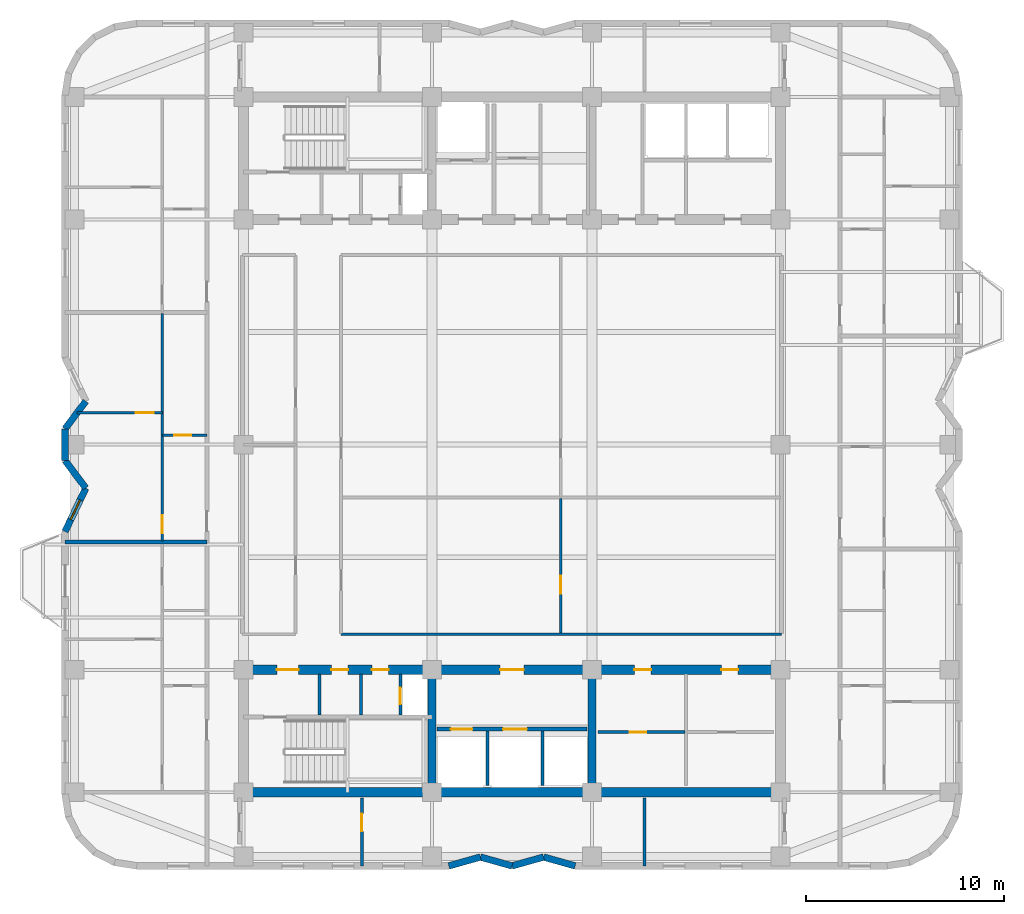
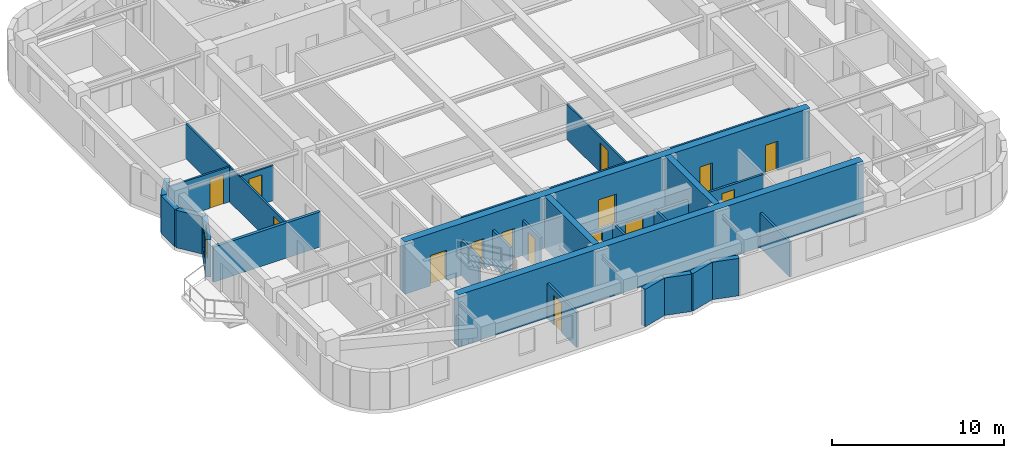
# One storey, part 3 of 9: 27 walls, 15 doors, 1 window, 16 openings.
"""IFC4 building model written with IfcOpenShell, lengths in metres."""

from ifc_helpers import new_model, si_unit, direction, frame, frame_2d, origin, place, context, subcontext, project, spatial, rectangle, extrude, material, layer, layer_set, type_object, element, fill, save


model = new_model("IFC4")

# Units and contexts
model_context = context("Model", 3, precision=1e-05, world=origin(), true_north=direction((0.0, 1.0)))
body_context = subcontext(model_context, "Body", "Model", "MODEL_VIEW")
ifc_project = project(units=[si_unit("LENGTHUNIT", "METRE"), si_unit("AREAUNIT", "SQUARE_METRE"), si_unit("VOLUMEUNIT", "CUBIC_METRE"), si_unit("PLANEANGLEUNIT", "RADIAN"), si_unit("MASSUNIT", "GRAM", prefix="KILO")], contexts=[model_context])

# Site, building, storey
site_placement = place(None, origin())
site = spatial("IfcSite", under=ifc_project, at=site_placement, CompositionType="ELEMENT")
building_placement = place(site_placement, origin())
building = spatial("IfcBuilding", under=site, at=building_placement, Name="Svetorya Sky Lyceum", CompositionType="ELEMENT")
storey_placement = place(building_placement, frame((0.0, 0.0, 192.199951171875)))
storey = spatial("IfcBuildingStorey", under=building, at=storey_placement, Name="L48", CompositionType="ELEMENT", Elevation=192.199951171875)

# Walls
ifc_material_1 = material(Name="Concrete C40/50", Category="concrete")
ifc_layer_1 = layer(ifc_material_1, 0.39990234375)
ifc_layer_set_1 = layer_set([ifc_layer_1], Name="Concrete C40/50")
wall_type_1 = type_object("IfcWallType", Name="WL-CORE-400", PredefinedType="SHEAR", material=ifc_layer_set_1)
for number, where, z_axis, x_axis, name in (
    (1, (35.14990234375, 10.85009765625, 0.0), (0.0, 0.0, 1.0), (0.0, 1.0, 0.0), "L48 SC Internal Shear Web WEB1"),
    (2, (43.25, 10.85009765625, 0.0), (0.0, 0.0, 1.0), (0.0, 1.0, 0.0), "L48 SC Internal Shear Web WEB2"),
):
    element("IfcWall", number, at=place(storey_placement, frame(where, z_axis=z_axis, x_axis=x_axis)), inside=storey, type_object=wall_type_1, Name=name, PredefinedType="SHEAR", context=body_context, shape_type="SweptSolid", body=[
        extrude(rectangle(XDim=5.699951171875, YDim=0.39990234375, at=frame_2d((2.85009765625, 0.0))), origin(), (0.0, 0.0, 1.0), 3.699951171875),
    ])
ifc_material_2 = material(Name="Concrete C50/60", Category="concrete")
ifc_layer_2 = layer(ifc_material_2, 0.5)
ifc_layer_set_2 = layer_set([ifc_layer_2], Name="Concrete C50/60")
wall_type_2 = type_object("IfcWallType", Name="WL-CORE-500", PredefinedType="SHEAR", material=ifc_layer_set_2)
wall_1_placement = place(storey_placement, frame((52.800048828125, 10.60009765625, 0.0), z_axis=(0.0, 0.0, 1.0), x_axis=(-1.0, 0.0, 0.0)))
element("IfcWall", 3, at=wall_1_placement, inside=storey, type_object=wall_type_2, Name="L48 SC Outer Core Shear Wall", PredefinedType="SHEAR", context=body_context, shape_type="SweptSolid", body=[
    extrude(rectangle(XDim=27.199951171875, YDim=0.5, at=frame_2d((13.60009765625, 0.0))), origin(), (0.0, 0.0, 1.0), 3.699951171875),
])

# Wall, openings, doors
wall_2_placement = place(storey_placement, frame((25.60009765625, 16.800048828125, 0.0), z_axis=(0.0, 0.0, 1.0), x_axis=(1.0, 0.0, 0.0)))
wall_2 = element("IfcWall", 4, at=wall_2_placement, inside=storey, type_object=wall_type_2, Name="L48 SC Inner Core Shear Wall", PredefinedType="SHEAR", context=body_context, shape_type="SweptSolid", body=[
    extrude(rectangle(XDim=27.199951171875, YDim=0.5, at=frame_2d((13.60009765625, 0.0))), origin(), (0.0, 0.0, 1.0), 3.699951171875),
])
opening_1_placement = place(wall_2_placement, frame((1.699951171875, 0.0, 0.0)))
opening_1 = element("IfcOpeningElement", 5, at=opening_1_placement, cuts=wall_2, Name="Opening D-ST1", PredefinedType="OPENING", context=body_context, shape_type="SweptSolid", body=[
    extrude(rectangle(XDim=1.10009765625, YDim=2.14990234375, at=frame_2d((0.550048828125, 1.074951171875))), frame((0.0, 0.260009765625, 0.0), z_axis=(0.0, -1.0, 0.0), x_axis=(1.0, 0.0, 0.0)), (0.0, 0.0, 1.0), 0.52001953125),
])
opening_2_placement = place(wall_2_placement, frame((4.449951171875, 0.0, 0.0)))
opening_2 = element("IfcOpeningElement", 6, at=opening_2_placement, cuts=wall_2, Name="Opening D-CWC1", PredefinedType="OPENING", context=body_context, shape_type="SweptSolid", body=[
    extrude(rectangle(XDim=0.85009765625, YDim=2.10009765625, at=frame_2d((0.425048828125, 1.050048828125))), frame((0.0, 0.260009765625, 0.0), z_axis=(0.0, -1.0, 0.0), x_axis=(1.0, 0.0, 0.0)), (0.0, 0.0, 1.0), 0.52001953125),
])
opening_3_placement = place(wall_2_placement, frame((6.5, 0.0, 0.0)))
opening_3 = element("IfcOpeningElement", 7, at=opening_3_placement, cuts=wall_2, Name="Opening D-CWC1", PredefinedType="OPENING", context=body_context, shape_type="SweptSolid", body=[
    extrude(rectangle(XDim=0.85009765625, YDim=2.10009765625, at=frame_2d((0.425048828125, 1.050048828125))), frame((0.0, 0.260009765625, 0.0), z_axis=(0.0, -1.0, 0.0), x_axis=(1.0, 0.0, 0.0)), (0.0, 0.0, 1.0), 0.52001953125),
])
opening_4_placement = place(wall_2_placement, frame((13.0, 0.0, 0.0)))
opening_4 = element("IfcOpeningElement", 8, at=opening_4_placement, cuts=wall_2, Name="Opening D-FL1", PredefinedType="OPENING", context=body_context, shape_type="SweptSolid", body=[
    extrude(rectangle(XDim=1.199951171875, YDim=2.14990234375, at=frame_2d((0.60009765625, 1.074951171875))), frame((0.0, 0.260009765625, 0.0), z_axis=(0.0, -1.0, 0.0), x_axis=(1.0, 0.0, 0.0)), (0.0, 0.0, 1.0), 0.52001953125),
])
opening_5_placement = place(wall_2_placement, frame((19.800048828125, 0.0, 0.0)))
opening_5 = element("IfcOpeningElement", 9, at=opening_5_placement, cuts=wall_2, Name="Opening D-CWC1", PredefinedType="OPENING", context=body_context, shape_type="SweptSolid", body=[
    extrude(rectangle(XDim=0.85009765625, YDim=2.10009765625, at=frame_2d((0.425048828125, 1.050048828125))), frame((0.0, 0.260009765625, 0.0), z_axis=(0.0, -1.0, 0.0), x_axis=(1.0, 0.0, 0.0)), (0.0, 0.0, 1.0), 0.52001953125),
])
opening_6_placement = place(wall_2_placement, frame((24.199951171875, 0.0, 0.0)))
opening_6 = element("IfcOpeningElement", 10, at=opening_6_placement, cuts=wall_2, Name="Opening D-CWC1", PredefinedType="OPENING", context=body_context, shape_type="SweptSolid", body=[
    extrude(rectangle(XDim=0.85009765625, YDim=2.10009765625, at=frame_2d((0.425048828125, 1.050048828125))), frame((0.0, 0.260009765625, 0.0), z_axis=(0.0, -1.0, 0.0), x_axis=(1.0, 0.0, 0.0)), (0.0, 0.0, 1.0), 0.52001953125),
])
ifc_material_3 = material(Name="Fire-rated galvanized steel core service closet door", Category="steel")
door_type_1 = type_object("IfcDoorType", Name="DR-CWET-850", OperationType="SINGLE_SWING_LEFT", PredefinedType="DOOR", material=ifc_material_3)
door_1_placement = place(opening_2_placement, origin())
door_1 = element("IfcDoor", 11, at=door_1_placement, inside=storey, type_object=door_type_1, Name="L48 South Mop Closet Door", OperationType="SINGLE_SWING_LEFT", OverallHeight=2.10009765625, OverallWidth=0.85009765625, PredefinedType="DOOR", context=body_context, shape_type="SweptSolid", body=[
    extrude(rectangle(XDim=0.85009765625, YDim=2.10009765625, at=frame_2d((0.425048828125, 1.050048828125))), frame((0.0, 0.02490234375, 0.0), z_axis=(0.0, -1.0, 0.0), x_axis=(1.0, 0.0, 0.0)), (0.0, 0.0, 1.0), 0.050048828125),
])
fill(opening_2, door_1)
door_2_placement = place(opening_3_placement, origin())
door_2 = element("IfcDoor", 12, at=door_2_placement, inside=storey, type_object=door_type_1, Name="L48 South West WC Door", OperationType="SINGLE_SWING_RIGHT", OverallHeight=2.10009765625, OverallWidth=0.85009765625, PredefinedType="DOOR", context=body_context, shape_type="SweptSolid", body=[
    extrude(rectangle(XDim=0.85009765625, YDim=2.10009765625, at=frame_2d((0.425048828125, 1.050048828125))), frame((0.0, 0.02490234375, 0.0), z_axis=(0.0, -1.0, 0.0), x_axis=(1.0, 0.0, 0.0)), (0.0, 0.0, 1.0), 0.050048828125),
])
fill(opening_3, door_2)
door_3_placement = place(opening_5_placement, origin())
door_3 = element("IfcDoor", 13, at=door_3_placement, inside=storey, type_object=door_type_1, Name="L48 Housekeeping Door", OperationType="SINGLE_SWING_LEFT", OverallHeight=2.10009765625, OverallWidth=0.85009765625, PredefinedType="DOOR", context=body_context, shape_type="SweptSolid", body=[
    extrude(rectangle(XDim=0.85009765625, YDim=2.10009765625, at=frame_2d((0.425048828125, 1.050048828125))), frame((0.0, 0.02490234375, 0.0), z_axis=(0.0, -1.0, 0.0), x_axis=(1.0, 0.0, 0.0)), (0.0, 0.0, 1.0), 0.050048828125),
])
fill(opening_5, door_3)
door_4_placement = place(opening_6_placement, origin())
door_4 = element("IfcDoor", 14, at=door_4_placement, inside=storey, type_object=door_type_1, Name="L48 South WC Door", OperationType="SINGLE_SWING_RIGHT", OverallHeight=2.10009765625, OverallWidth=0.85009765625, PredefinedType="DOOR", context=body_context, shape_type="SweptSolid", body=[
    extrude(rectangle(XDim=0.85009765625, YDim=2.10009765625, at=frame_2d((0.425048828125, 1.050048828125))), frame((0.0, 0.02490234375, 0.0), z_axis=(0.0, -1.0, 0.0), x_axis=(1.0, 0.0, 0.0)), (0.0, 0.0, 1.0), 0.050048828125),
])
fill(opening_6, door_4)
ifc_material_4 = material(Name="Powder-coated insulated galvanized stair fire door")
door_type_2 = type_object("IfcDoorType", Name="DR-FIRE-1100", OperationType="SINGLE_SWING_LEFT", PredefinedType="DOOR", material=ifc_material_4)
door_5_placement = place(opening_1_placement, origin())
door_5 = element("IfcDoor", 15, at=door_5_placement, inside=storey, type_object=door_type_2, Name="L48 South Stair Airlock Door", OperationType="SINGLE_SWING_RIGHT", OverallHeight=2.14990234375, OverallWidth=1.10009765625, PredefinedType="DOOR", context=body_context, shape_type="SweptSolid", body=[
    extrude(rectangle(XDim=1.10009765625, YDim=2.14990234375, at=frame_2d((0.550048828125, 1.074951171875))), frame((0.0, 0.02490234375, 0.0), z_axis=(0.0, -1.0, 0.0), x_axis=(1.0, 0.0, 0.0)), (0.0, 0.0, 1.0), 0.050048828125),
])
fill(opening_1, door_5)
ifc_material_5 = material(Name="Powder-coated insulated galvanized fire door")
door_type_3 = type_object("IfcDoorType", Name="DR-FIRE-1200", OperationType="SINGLE_SWING_LEFT", PredefinedType="DOOR", material=ifc_material_5)
door_6_placement = place(opening_4_placement, origin())
door_6 = element("IfcDoor", 16, at=door_6_placement, inside=storey, type_object=door_type_3, Name="L48 South Firefighting Lift Lobby Door", OperationType="SINGLE_SWING_LEFT", OverallHeight=2.14990234375, OverallWidth=1.199951171875, PredefinedType="DOOR", context=body_context, shape_type="SweptSolid", body=[
    extrude(rectangle(XDim=1.199951171875, YDim=2.14990234375, at=frame_2d((0.60009765625, 1.074951171875))), frame((0.0, 0.02490234375, 0.0), z_axis=(0.0, -1.0, 0.0), x_axis=(1.0, 0.0, 0.0)), (0.0, 0.0, 1.0), 0.050048828125),
])
fill(opening_4, door_6)

# Walls
ifc_material_6 = material(Name="Putilovo limestone rainscreen on autoclaved cellular masonry", Category="masonry")
ifc_layer_3 = layer(ifc_material_6, 0.340087890625)
ifc_layer_set_3 = layer_set([ifc_layer_3], Name="Putilovo limestone rainscreen on autoclaved cellular masonry")
wall_type_3 = type_object("IfcWallType", Name="WL-EXT-340", PredefinedType="SOLIDWALL", material=ifc_layer_set_3)
wall_3_placement = place(storey_placement, frame((36.0, 6.8701171875, 0.0), z_axis=(0.0, 0.0, 1.0), x_axis=(0.962662902433, 0.270703040766, 0.0)))
element("IfcWall", 17, at=wall_3_placement, inside=storey, type_object=wall_type_3, Name="L48 Limestone Exterior Wall 7M", PredefinedType="SOLIDWALL", context=body_context, shape_type="SweptSolid", body=[
    extrude(rectangle(XDim=1.662109375, YDim=0.340087890625, at=frame_2d((0.8310546875, 0.0))), origin(), (0.0, 0.0, 1.0), 2.66015625),
])
wall_4_placement = place(storey_placement, frame((37.60009765625, 7.320068359375, 0.0), z_axis=(0.0, 0.0, 1.0), x_axis=(0.962652136636, -0.270741322725, 0.0)))
element("IfcWall", 18, at=wall_4_placement, inside=storey, type_object=wall_type_3, Name="L48 Limestone Exterior Wall 8M", PredefinedType="SOLIDWALL", context=body_context, shape_type="SweptSolid", body=[
    extrude(rectangle(XDim=1.661865234375, YDim=0.340087890625, at=frame_2d((0.8310546875, 0.0))), origin(), (0.0, 0.0, 1.0), 2.66015625),
])
wall_5_placement = place(storey_placement, frame((39.199951171875, 6.8701171875, 0.0), z_axis=(0.0, 0.0, 1.0), x_axis=(0.962662902433, 0.270703040766, 0.0)))
element("IfcWall", 19, at=wall_5_placement, inside=storey, type_object=wall_type_3, Name="L48 Limestone Exterior Wall 9M", PredefinedType="SOLIDWALL", context=body_context, shape_type="SweptSolid", body=[
    extrude(rectangle(XDim=1.662109375, YDim=0.340087890625, at=frame_2d((0.8310546875, 0.0))), origin(), (0.0, 0.0, 1.0), 2.66015625),
])
wall_6_placement = place(storey_placement, frame((40.800048828125, 7.320068359375, 0.0), z_axis=(0.0, 0.0, 1.0), x_axis=(0.962652136636, -0.270741322725, 0.0)))
element("IfcWall", 20, at=wall_6_placement, inside=storey, type_object=wall_type_3, Name="L48 Limestone Exterior Wall 10M", PredefinedType="SOLIDWALL", context=body_context, shape_type="SweptSolid", body=[
    extrude(rectangle(XDim=1.661865234375, YDim=0.340087890625, at=frame_2d((0.8310546875, 0.0))), origin(), (0.0, 0.0, 1.0), 2.66015625),
])
wall_7_placement = place(storey_placement, frame((17.6201171875, 30.39990234375, 0.0), z_axis=(0.0, 0.0, 1.0), x_axis=(-0.600044643168, -0.799966515677, 0.0)))
element("IfcWall", 21, at=wall_7_placement, inside=storey, type_object=wall_type_3, Name="L48 Limestone Exterior Wall 42M", PredefinedType="SOLIDWALL", context=body_context, shape_type="SweptSolid", body=[
    extrude(rectangle(XDim=1.75, YDim=0.340087890625, at=frame_2d((0.875, 0.0))), origin(), (0.0, 0.0, 1.0), 2.66015625),
])
wall_8_placement = place(storey_placement, frame((16.570068359375, 29.0, 0.0), z_axis=(0.0, 0.0, 1.0), x_axis=(0.0, -1.0, 0.0)))
element("IfcWall", 22, at=wall_8_placement, inside=storey, type_object=wall_type_3, Name="L48 Limestone Exterior Wall 43M", PredefinedType="SOLIDWALL", context=body_context, shape_type="SweptSolid", body=[
    extrude(rectangle(XDim=1.60009765625, YDim=0.340087890625, at=frame_2d((0.800048828125, 0.0))), origin(), (0.0, 0.0, 1.0), 2.66015625),
])
wall_9_placement = place(storey_placement, frame((16.570068359375, 27.39990234375, 0.0), z_axis=(0.0, 0.0, 1.0), x_axis=(0.600044643168, -0.799966515677, 0.0)))
element("IfcWall", 23, at=wall_9_placement, inside=storey, type_object=wall_type_3, Name="L48 Limestone Exterior Wall 44M", PredefinedType="SOLIDWALL", context=body_context, shape_type="SweptSolid", body=[
    extrude(rectangle(XDim=1.75, YDim=0.340087890625, at=frame_2d((0.875, 0.0))), origin(), (0.0, 0.0, 1.0), 2.66015625),
])

# Wall, opening, window
wall_10_placement = place(storey_placement, frame((17.6201171875, 26.0, 0.0), z_axis=(0.0, 0.0, 1.0), x_axis=(-0.430753686581, -0.902469534941, 0.0)))
wall_10 = element("IfcWall", 24, at=wall_10_placement, inside=storey, type_object=wall_type_3, Name="L48 Limestone Exterior Wall 45M", PredefinedType="SOLIDWALL", context=body_context, shape_type="SweptSolid", body=[
    extrude(rectangle(XDim=2.437744140625, YDim=0.340087890625, at=frame_2d((1.21875, 0.0))), origin(), (0.0, 0.0, 1.0), 2.66015625),
])
opening_7_placement = place(wall_10_placement, frame((0.6689453125, 0.0, 0.85009765625)))
opening_7 = element("IfcOpeningElement", 25, at=opening_7_placement, cuts=wall_10, Name="Opening W-R3", PredefinedType="OPENING", context=body_context, shape_type="SweptSolid", body=[
    extrude(rectangle(XDim=1.10009765625, YDim=1.64990234375, at=frame_2d((0.550048828125, 0.824951171875))), frame((0.0, 0.179931640625, 0.0), z_axis=(0.0, -1.0, 0.0), x_axis=(1.0, 0.0, 0.0)), (0.0, 0.0, 1.0), 0.360107421875),
])
ifc_material_7 = material(Name="Thermally broken aluminium frame with triple low-E glazing", Category="aluminium")
window_type = type_object("IfcWindowType", Name="WN-RES-110", PartitioningType="SINGLE_PANEL", PredefinedType="WINDOW", material=ifc_material_7)
window_placement = place(opening_7_placement, origin())
window = element("IfcWindow", 26, at=window_placement, inside=storey, type_object=window_type, Name="L48 Facade Window W-R3.45M.1", OverallHeight=1.64990234375, OverallWidth=1.10009765625, PartitioningType="SINGLE_PANEL", PredefinedType="WINDOW", context=body_context, shape_type="SweptSolid", body=[
    extrude(rectangle(XDim=1.10009765625, YDim=1.64990234375, at=frame_2d((0.550048828125, 0.824951171875))), frame((0.0, 0.030029296875, 0.0), z_axis=(0.0, -1.0, 0.0), x_axis=(1.0, 0.0, 0.0)), (0.0, 0.0, 1.0), 0.06005859375),
])
fill(opening_7, window)

# Wall, opening, door
ifc_material_8 = material(Name="Twin-stud galvanized framing with double fireboard", Category="gypsum")
ifc_layer_4 = layer(ifc_material_8, 0.1201171875)
ifc_layer_set_4 = layer_set([ifc_layer_4], Name="Twin-stud galvanized framing with double fireboard")
wall_type_4 = type_object("IfcWallType", Name="WL-PART-120", PredefinedType="PARTITIONING", material=ifc_layer_set_4)
wall_11_placement = place(storey_placement, frame((41.659912109375, 18.659912109375, 0.0), z_axis=(0.0, 0.0, 1.0), x_axis=(0.0, 1.0, 0.0)))
wall_11 = element("IfcWall", 27, at=wall_11_placement, inside=storey, type_object=wall_type_4, Name="L48 Interior Partition OFF-VEM1", PredefinedType="PARTITIONING", context=body_context, shape_type="SweptSolid", body=[
    extrude(rectangle(XDim=6.820556640625, YDim=0.1201171875, at=frame_2d((3.41015625, 0.0))), origin(), (0.0, 0.0, 1.0), 2.489990234375),
])
opening_8_placement = place(wall_11_placement, frame((2.0, 0.0, 0.0)))
opening_8 = element("IfcOpeningElement", 28, at=opening_8_placement, cuts=wall_11, Name="Opening D-RM1", PredefinedType="OPENING", context=body_context, shape_type="SweptSolid", body=[
    extrude(rectangle(XDim=0.89990234375, YDim=2.10009765625, at=frame_2d((0.449951171875, 1.050048828125))), frame((0.0, 0.070068359375, 0.0), z_axis=(0.0, -1.0, 0.0), x_axis=(1.0, 0.0, 0.0)), (0.0, 0.0, 1.0), 0.14013671875),
])
ifc_material_9 = material(Name="Lacquered birch veneer internal door")
door_type_4 = type_object("IfcDoorType", Name="DR-INT-900", OperationType="SINGLE_SWING_LEFT", PredefinedType="DOOR", material=ifc_material_9)
door_7_placement = place(opening_8_placement, origin())
door_7 = element("IfcDoor", 29, at=door_7_placement, inside=storey, type_object=door_type_4, Name="L48 East Study Door", OperationType="SINGLE_SWING_LEFT", OverallHeight=2.10009765625, OverallWidth=0.89990234375, PredefinedType="DOOR", context=body_context, shape_type="SweptSolid", body=[
    extrude(rectangle(XDim=0.89990234375, YDim=2.10009765625, at=frame_2d((0.449951171875, 1.050048828125))), frame((0.0, 0.02490234375, 0.0), z_axis=(0.0, -1.0, 0.0), x_axis=(1.0, 0.0, 0.0)), (0.0, 0.0, 1.0), 0.050048828125),
])
fill(opening_8, door_7)

wall_12_placement = place(storey_placement, frame((21.5, 28.672119140625, 0.0), z_axis=(0.0, 0.0, 1.0), x_axis=(1.0, 0.0, 0.0)))
wall_12 = element("IfcWall", 30, at=wall_12_placement, inside=storey, type_object=wall_type_4, Name="L48 Interior Partition W2-WH1", PredefinedType="PARTITIONING", context=body_context, shape_type="SweptSolid", body=[
    extrude(rectangle(XDim=2.25, YDim=0.1201171875, at=frame_2d((1.125, 0.0))), origin(), (0.0, 0.0, 1.0), 2.489990234375),
])
opening_9_placement = place(wall_12_placement, frame((0.60009765625, 0.0, 0.0)))
opening_9 = element("IfcOpeningElement", 31, at=opening_9_placement, cuts=wall_12, Name="Opening D-BT1", PredefinedType="OPENING", context=body_context, shape_type="SweptSolid", body=[
    extrude(rectangle(XDim=0.85009765625, YDim=2.10009765625, at=frame_2d((0.425048828125, 1.050048828125))), frame((0.0, 0.070068359375, 0.0), z_axis=(0.0, -1.0, 0.0), x_axis=(1.0, 0.0, 0.0)), (0.0, 0.0, 1.0), 0.14013671875),
])
ifc_material_10 = material(Name="Moisture-resistant laminate bathroom door")
door_type_5 = type_object("IfcDoorType", Name="DR-WET-850", OperationType="SINGLE_SWING_LEFT", PredefinedType="DOOR", material=ifc_material_10)
door_8_placement = place(opening_9_placement, origin())
door_8 = element("IfcDoor", 32, at=door_8_placement, inside=storey, type_object=door_type_5, Name="Apartment W2 Bathroom Door", OperationType="SINGLE_SWING_RIGHT", OverallHeight=2.10009765625, OverallWidth=0.85009765625, PredefinedType="DOOR", context=body_context, shape_type="SweptSolid", body=[
    extrude(rectangle(XDim=0.85009765625, YDim=2.10009765625, at=frame_2d((0.425048828125, 1.050048828125))), frame((0.0, 0.02490234375, 0.0), z_axis=(0.0, -1.0, 0.0), x_axis=(1.0, 0.0, 0.0)), (0.0, 0.0, 1.0), 0.050048828125),
])
fill(opening_9, door_8)

wall_13_placement = place(storey_placement, frame((17.1865234375, 29.822021484375, 0.0), z_axis=(0.0, 0.0, 1.0), x_axis=(1.0, 0.0, 0.0)))
wall_13 = element("IfcWall", 33, at=wall_13_placement, inside=storey, type_object=wall_type_4, Name="L48 Interior Partition W2-WL1", PredefinedType="PARTITIONING", context=body_context, shape_type="SweptSolid", body=[
    extrude(rectangle(XDim=4.3134765625, YDim=0.1201171875, at=frame_2d((2.15673828125, 0.0))), origin(), (0.0, 0.0, 1.0), 2.489990234375),
])
opening_10_placement = place(wall_13_placement, frame((2.96337890625, 0.0, 0.0)))
opening_10 = element("IfcOpeningElement", 34, at=opening_10_placement, cuts=wall_13, Name="Opening D-RM1", PredefinedType="OPENING", context=body_context, shape_type="SweptSolid", body=[
    extrude(rectangle(XDim=0.89990234375, YDim=2.10009765625, at=frame_2d((0.449951171875, 1.050048828125))), frame((0.0, 0.070068359375, 0.0), z_axis=(0.0, -1.0, 0.0), x_axis=(1.0, 0.0, 0.0)), (0.0, 0.0, 1.0), 0.14013671875),
])
door_9_placement = place(opening_10_placement, origin())
door_9 = element("IfcDoor", 35, at=door_9_placement, inside=storey, type_object=door_type_4, Name="Apartment W2 Bedroom 1 Door", OperationType="SINGLE_SWING_RIGHT", OverallHeight=2.10009765625, OverallWidth=0.89990234375, PredefinedType="DOOR", context=body_context, shape_type="SweptSolid", body=[
    extrude(rectangle(XDim=0.89990234375, YDim=2.10009765625, at=frame_2d((0.449951171875, 1.050048828125))), frame((0.0, 0.02490234375, 0.0), z_axis=(0.0, -1.0, 0.0), x_axis=(1.0, 0.0, 0.0)), (0.0, 0.0, 1.0), 0.050048828125),
])
fill(opening_10, door_9)

wall_14_placement = place(storey_placement, frame((21.5, 23.31201171875, 0.0), z_axis=(0.0, 0.0, 1.0), x_axis=(0.0, 1.0, 0.0)))
wall_14 = element("IfcWall", 36, at=wall_14_placement, inside=storey, type_object=wall_type_4, Name="L48 Interior Partition W2-WV", PredefinedType="PARTITIONING", context=body_context, shape_type="SweptSolid", body=[
    extrude(rectangle(XDim=11.535888671875, YDim=0.1201171875, at=frame_2d((5.76806640625, 0.0))), origin(), (0.0, 0.0, 1.0), 2.489990234375),
])
opening_11_placement = place(wall_14_placement, frame((0.409912109375, 0.0, 0.0)))
opening_11 = element("IfcOpeningElement", 37, at=opening_11_placement, cuts=wall_14, Name="Opening D-RM1", PredefinedType="OPENING", context=body_context, shape_type="SweptSolid", body=[
    extrude(rectangle(XDim=0.89990234375, YDim=2.10009765625, at=frame_2d((0.449951171875, 1.050048828125))), frame((0.0, 0.070068359375, 0.0), z_axis=(0.0, -1.0, 0.0), x_axis=(1.0, 0.0, 0.0)), (0.0, 0.0, 1.0), 0.14013671875),
])
door_10_placement = place(opening_11_placement, origin())
door_10 = element("IfcDoor", 38, at=door_10_placement, inside=storey, type_object=door_type_4, Name="Apartment W2 Living Door", OperationType="SINGLE_SWING_LEFT", OverallHeight=2.10009765625, OverallWidth=0.89990234375, PredefinedType="DOOR", context=body_context, shape_type="SweptSolid", body=[
    extrude(rectangle(XDim=0.89990234375, YDim=2.10009765625, at=frame_2d((0.449951171875, 1.050048828125))), frame((0.0, 0.02490234375, 0.0), z_axis=(0.0, -1.0, 0.0), x_axis=(1.0, 0.0, 0.0)), (0.0, 0.0, 1.0), 0.050048828125),
])
fill(opening_11, door_10)

# Walls
ifc_material_11 = material(Name="Autoclaved cellular masonry blockwork with acoustic render", Category="masonry")
ifc_layer_5 = layer(ifc_material_11, 0.14990234375)
ifc_layer_set_5 = layer_set([ifc_layer_5], Name="Autoclaved cellular masonry blockwork with acoustic render")
wall_type_5 = type_object("IfcWallType", Name="WL-PART-150", PredefinedType="PARTITIONING", material=ifc_layer_set_5)
for number, where, z_axis, x_axis, name in (
    (39, (29.449951171875, 14.5, 0.0), (0.0, 0.0, 1.0), (0.0, 1.0, 0.0), "L48 Interior Partition SC-SWD1"),
    (40, (31.550048828125, 14.5, 0.0), (0.0, 0.0, 1.0), (0.0, 1.0, 0.0), "L48 Interior Partition SC-SWD2"),
):
    element("IfcWall", number, at=place(storey_placement, frame(where, z_axis=z_axis, x_axis=x_axis)), inside=storey, type_object=wall_type_5, Name=name, PredefinedType="PARTITIONING", context=body_context, shape_type="SweptSolid", body=[
        extrude(rectangle(XDim=2.080078125, YDim=0.14990234375, at=frame_2d((1.0400390625, 0.0))), origin(), (0.0, 0.0, 1.0), 2.489990234375),
    ])

# Wall, opening, door
wall_15_placement = place(storey_placement, frame((33.550048828125, 14.5, 0.0), z_axis=(0.0, 0.0, 1.0), x_axis=(0.0, 1.0, 0.0)))
wall_15 = element("IfcWall", 41, at=wall_15_placement, inside=storey, type_object=wall_type_5, Name="L48 Interior Partition SC-SWD3", PredefinedType="PARTITIONING", context=body_context, shape_type="SweptSolid", body=[
    extrude(rectangle(XDim=2.080078125, YDim=0.14990234375, at=frame_2d((1.0400390625, 0.0))), origin(), (0.0, 0.0, 1.0), 2.489990234375),
])
opening_12_placement = place(wall_15_placement, frame((0.550048828125, 0.0, 0.0)))
opening_12 = element("IfcOpeningElement", 42, at=opening_12_placement, cuts=wall_15, Name="Opening D-SH1", PredefinedType="OPENING", context=body_context, shape_type="SweptSolid", body=[
    extrude(rectangle(XDim=0.85009765625, YDim=2.050048828125, at=frame_2d((0.425048828125, 1.02490234375))), frame((0.0, 0.0849609375, 0.0), z_axis=(0.0, -1.0, 0.0), x_axis=(1.0, 0.0, 0.0)), (0.0, 0.0, 1.0), 0.169921875),
])
ifc_material_12 = material(Name="Insulated galvanized riser inspection fire door")
door_type_6 = type_object("IfcDoorType", Name="DR-SHFT-850", OperationType="SINGLE_SWING_LEFT", PredefinedType="TRAPDOOR", material=ifc_material_12)
door_11_placement = place(opening_12_placement, origin())
door_11 = element("IfcDoor", 43, at=door_11_placement, inside=storey, type_object=door_type_6, Name="L48 South Riser Access Door", OperationType="SINGLE_SWING_RIGHT", OverallHeight=2.050048828125, OverallWidth=0.85009765625, PredefinedType="TRAPDOOR", context=body_context, shape_type="SweptSolid", body=[
    extrude(rectangle(XDim=0.85009765625, YDim=2.050048828125, at=frame_2d((0.425048828125, 1.02490234375))), frame((0.0, 0.02490234375, 0.0), z_axis=(0.0, -1.0, 0.0), x_axis=(1.0, 0.0, 0.0)), (0.0, 0.0, 1.0), 0.050048828125),
])
fill(opening_12, door_11)

# Walls
for number, where, z_axis, x_axis, name in (
    (44, (37.949951171875, 10.949951171875, 0.0), (0.0, 0.0, 1.0), (0.0, 1.0, 0.0), "L48 Interior Partition SC-SHD1"),
    (45, (40.75, 10.949951171875, 0.0), (0.0, 0.0, 1.0), (0.0, 1.0, 0.0), "L48 Interior Partition SC-SHD2"),
):
    element("IfcWall", number, at=place(storey_placement, frame(where, z_axis=z_axis, x_axis=x_axis)), inside=storey, type_object=wall_type_5, Name=name, PredefinedType="PARTITIONING", context=body_context, shape_type="SweptSolid", body=[
        extrude(rectangle(XDim=2.75, YDim=0.14990234375, at=frame_2d((1.375, 0.0))), origin(), (0.0, 0.0, 1.0), 2.489990234375),
    ])

# Wall, opening, door
wall_16_placement = place(storey_placement, frame((43.550048828125, 13.64990234375, 0.0), z_axis=(0.0, 0.0, 1.0), x_axis=(1.0, 0.0, 0.0)))
wall_16 = element("IfcWall", 46, at=wall_16_placement, inside=storey, type_object=wall_type_5, Name="L48 Interior Partition SC-LV7-HW", PredefinedType="PARTITIONING", context=body_context, shape_type="SweptSolid", body=[
    extrude(rectangle(XDim=4.39990234375, YDim=0.14990234375, at=frame_2d((2.199951171875, 0.0))), origin(), (0.0, 0.0, 1.0), 2.489990234375),
])
opening_13_placement = place(wall_16_placement, frame((1.60009765625, 0.0, 0.0)))
opening_13 = element("IfcOpeningElement", 47, at=opening_13_placement, cuts=wall_16, Name="Opening D-CWC1", PredefinedType="OPENING", context=body_context, shape_type="SweptSolid", body=[
    extrude(rectangle(XDim=0.85009765625, YDim=2.10009765625, at=frame_2d((0.425048828125, 1.050048828125))), frame((0.0, 0.0849609375, 0.0), z_axis=(0.0, -1.0, 0.0), x_axis=(1.0, 0.0, 0.0)), (0.0, 0.0, 1.0), 0.169921875),
])
door_12_placement = place(opening_13_placement, origin())
door_12 = element("IfcDoor", 48, at=door_12_placement, inside=storey, type_object=door_type_1, Name="L48 South Electrical Room Door", OperationType="SINGLE_SWING_LEFT", OverallHeight=2.10009765625, OverallWidth=0.85009765625, PredefinedType="DOOR", context=body_context, shape_type="SweptSolid", body=[
    extrude(rectangle(XDim=0.85009765625, YDim=2.10009765625, at=frame_2d((0.425048828125, 1.050048828125))), frame((0.0, 0.02490234375, 0.0), z_axis=(0.0, -1.0, 0.0), x_axis=(1.0, 0.0, 0.0)), (0.0, 0.0, 1.0), 0.050048828125),
])
fill(opening_13, door_12)

# Wall
wall_17_placement = place(storey_placement, frame((30.550048828125, 18.60009765625, 0.0), z_axis=(0.0, 0.0, 1.0), x_axis=(1.0, 0.0, 0.0)))
element("IfcWall", 49, at=wall_17_placement, inside=storey, type_object=wall_type_5, Name="L48 Interior Partition OFF-CS-E", PredefinedType="PARTITIONING", context=body_context, shape_type="SweptSolid", body=[
    extrude(rectangle(XDim=22.300048828125, YDim=0.14990234375, at=frame_2d((11.14990234375, 0.0))), origin(), (0.0, 0.0, 1.0), 2.489990234375),
])

# Wall, opening, door
wall_18_placement = place(storey_placement, frame((31.60009765625, 6.8701171875, 0.0), z_axis=(0.0, 0.0, 1.0), x_axis=(0.0, 1.0, 0.0)))
wall_18 = element("IfcWall", 50, at=wall_18_placement, inside=storey, type_object=wall_type_5, Name="L48 Interior Partition S-D1", PredefinedType="PARTITIONING", context=body_context, shape_type="SweptSolid", body=[
    extrude(rectangle(XDim=3.429931640625, YDim=0.14990234375, at=frame_2d((1.71484375, 0.0))), origin(), (0.0, 0.0, 1.0), 2.489990234375),
])
opening_14_placement = place(wall_18_placement, frame((1.75, 0.0, 0.0)))
opening_14 = element("IfcOpeningElement", 51, at=opening_14_placement, cuts=wall_18, Name="Opening D-RM1", PredefinedType="OPENING", context=body_context, shape_type="SweptSolid", body=[
    extrude(rectangle(XDim=0.89990234375, YDim=2.10009765625, at=frame_2d((0.449951171875, 1.050048828125))), frame((0.0, 0.0849609375, 0.0), z_axis=(0.0, -1.0, 0.0), x_axis=(1.0, 0.0, 0.0)), (0.0, 0.0, 1.0), 0.169921875),
])
door_13_placement = place(opening_14_placement, origin())
door_13 = element("IfcDoor", 52, at=door_13_placement, inside=storey, type_object=door_type_4, Name="L48 South Store Door", OperationType="SINGLE_SWING_LEFT", OverallHeight=2.10009765625, OverallWidth=0.89990234375, PredefinedType="DOOR", context=body_context, shape_type="SweptSolid", body=[
    extrude(rectangle(XDim=0.89990234375, YDim=2.10009765625, at=frame_2d((0.449951171875, 1.050048828125))), frame((0.0, 0.02490234375, 0.0), z_axis=(0.0, -1.0, 0.0), x_axis=(1.0, 0.0, 0.0)), (0.0, 0.0, 1.0), 0.050048828125),
])
fill(opening_14, door_13)

# Wall
wall_19_placement = place(storey_placement, frame((45.89990234375, 6.8701171875, 0.0), z_axis=(0.0, 0.0, 1.0), x_axis=(0.0, 1.0, 0.0)))
element("IfcWall", 53, at=wall_19_placement, inside=storey, type_object=wall_type_5, Name="L48 Interior Partition S-D2", PredefinedType="PARTITIONING", context=body_context, shape_type="SweptSolid", body=[
    extrude(rectangle(XDim=3.429931640625, YDim=0.14990234375, at=frame_2d((1.71484375, 0.0))), origin(), (0.0, 0.0, 1.0), 2.489990234375),
])

# Wall, openings, doors
ifc_material_13 = material(Name="Autoclaved cellular masonry blockwork with gypsum plaster", Category="masonry")
ifc_layer_6 = layer(ifc_material_13, 0.199951171875)
ifc_layer_set_6 = layer_set([ifc_layer_6], Name="Autoclaved cellular masonry blockwork with gypsum plaster")
wall_type_6 = type_object("IfcWallType", Name="WL-PART-200", PredefinedType="PARTITIONING", material=ifc_layer_set_6)
wall_20_placement = place(storey_placement, frame((35.39990234375, 13.800048828125, 0.0), z_axis=(0.0, 0.0, 1.0), x_axis=(1.0, 0.0, 0.0)))
wall_20 = element("IfcWall", 54, at=wall_20_placement, inside=storey, type_object=wall_type_6, Name="L48 Interior Partition SC-FLW", PredefinedType="PARTITIONING", context=body_context, shape_type="SweptSolid", body=[
    extrude(rectangle(XDim=7.60009765625, YDim=0.199951171875, at=frame_2d((3.800048828125, 0.0))), origin(), (0.0, 0.0, 1.0), 2.260009765625),
])
opening_15_placement = place(wall_20_placement, frame((0.699951171875, 0.0, 0.0)))
opening_15 = element("IfcOpeningElement", 55, at=opening_15_placement, cuts=wall_20, Name="Opening LD-FL", PredefinedType="OPENING", context=body_context, shape_type="SweptSolid", body=[
    extrude(rectangle(XDim=1.10009765625, YDim=2.14990234375, at=frame_2d((0.550048828125, 1.074951171875))), frame((0.0, 0.10986328125, 0.0), z_axis=(0.0, -1.0, 0.0), x_axis=(1.0, 0.0, 0.0)), (0.0, 0.0, 1.0), 0.219970703125),
])
opening_16_placement = place(wall_20_placement, frame((3.35009765625, 0.0, 0.0)))
opening_16 = element("IfcOpeningElement", 56, at=opening_16_placement, cuts=wall_20, Name="Opening LD-SV", PredefinedType="OPENING", context=body_context, shape_type="SweptSolid", body=[
    extrude(rectangle(XDim=1.199951171875, YDim=2.14990234375, at=frame_2d((0.60009765625, 1.074951171875))), frame((0.0, 0.10986328125, 0.0), z_axis=(0.0, -1.0, 0.0), x_axis=(1.0, 0.0, 0.0)), (0.0, 0.0, 1.0), 0.219970703125),
])
ifc_material_14 = material(Name="Fire-rated stainless AISI 304 firefighting lift landing door")
door_type_7 = type_object("IfcDoorType", Name="DR-LIFT-1100", OperationType="SLIDING_TO_LEFT", PredefinedType="DOOR", material=ifc_material_14)
door_14_placement = place(opening_15_placement, origin())
door_14 = element("IfcDoor", 57, at=door_14_placement, inside=storey, type_object=door_type_7, Name="L48 Firefighting Lift FL2 Landing Door", OperationType="SLIDING_TO_LEFT", OverallHeight=2.14990234375, OverallWidth=1.10009765625, PredefinedType="DOOR", context=body_context, shape_type="SweptSolid", body=[
    extrude(rectangle(XDim=1.10009765625, YDim=2.14990234375, at=frame_2d((0.550048828125, 1.074951171875))), frame((0.0, 0.02490234375, 0.0), z_axis=(0.0, -1.0, 0.0), x_axis=(1.0, 0.0, 0.0)), (0.0, 0.0, 1.0), 0.050048828125),
])
fill(opening_15, door_14)
ifc_material_15 = material(Name="Brushed stainless AISI 304 telescopic lift landing door")
door_type_8 = type_object("IfcDoorType", Name="DR-LIFT-1200", OperationType="SLIDING_TO_LEFT", PredefinedType="DOOR", material=ifc_material_15)
door_15_placement = place(opening_16_placement, origin())
door_15 = element("IfcDoor", 58, at=door_15_placement, inside=storey, type_object=door_type_8, Name="L48 Service Lift SVL1 Landing Door", OperationType="SLIDING_TO_LEFT", OverallHeight=2.14990234375, OverallWidth=1.199951171875, PredefinedType="DOOR", context=body_context, shape_type="SweptSolid", body=[
    extrude(rectangle(XDim=1.199951171875, YDim=2.14990234375, at=frame_2d((0.60009765625, 1.074951171875))), frame((0.0, 0.02490234375, 0.0), z_axis=(0.0, -1.0, 0.0), x_axis=(1.0, 0.0, 0.0)), (0.0, 0.0, 1.0), 0.050048828125),
])
fill(opening_16, door_15)

# Wall
wall_21_placement = place(storey_placement, frame((16.570068359375, 23.27197265625, 0.0), z_axis=(0.0, 0.0, 1.0), x_axis=(1.0, 0.0, 0.0)))
element("IfcWall", 59, at=wall_21_placement, inside=storey, type_object=wall_type_6, Name="L48 Interior Partition W-PARTY-1", PredefinedType="PARTITIONING", context=body_context, shape_type="SweptSolid", body=[
    extrude(rectangle(XDim=7.179931640625, YDim=0.199951171875, at=frame_2d((3.58984375, 0.0))), origin(), (0.0, 0.0, 1.0), 2.489990234375),
])

save(model, "model.ifc")
